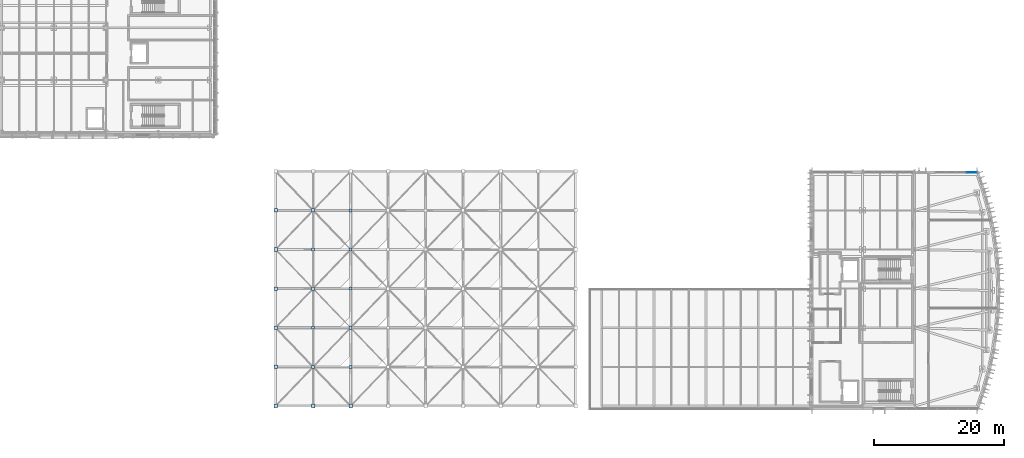
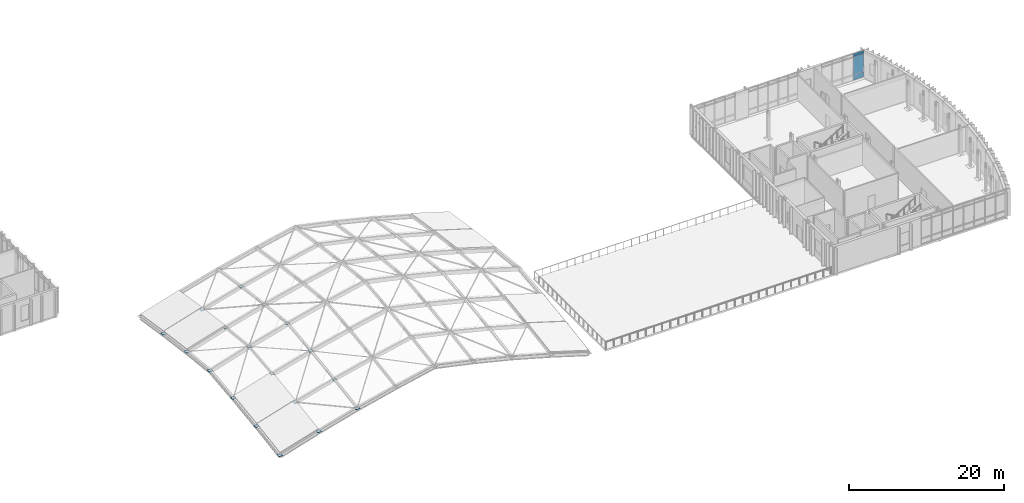
# One storey, part 37 of 62: 21 plates, 1 element without a shape of its own.
"""IFC4 building model written with IfcOpenShell, lengths in metres."""

import ifcopenshell
import ifcopenshell.guid

model = None  # the IFC model being written
_history = None  # IfcOwnerHistory: only IFC2X3 demands one
_inside = {}  # id of a spatial element -> (the spatial element, [elements in it])
_under = {}  # id of a project, library or spatial element -> (it, [spatial elements below it])
_declared = {}  # id of a project -> (the project, [libraries it declares])
_typed = {}  # id of a type object -> (the type object, [elements of that type])
_made_of = {}  # id of a material, layer set ... -> (it, [elements and type objects made of it])


def new_model(schema):
    """Start an empty IFC model of exactly this schema.

    Asked for "IFC4X3", IfcOpenShell would pick the latest addendum, in which some entities
    have other attributes; the version numbers below select the first issue.
    IFC2X3 requires an IfcOwnerHistory on every rooted entity: one is made here for all.
    """
    global model, _history
    if schema == "IFC4X3":
        model = ifcopenshell.file(schema_version=(4, 3, 0, 0))
    else:
        model = ifcopenshell.file(schema=schema)
    _inside.clear()
    _under.clear()
    _declared.clear()
    _typed.clear()
    _made_of.clear()
    _history = None
    if model.schema == "IFC2X3":
        org = make("IfcOrganization", Name="unknown")
        user = make(
            "IfcPersonAndOrganization",
            ThePerson=make("IfcPerson", FamilyName="unknown"),
            TheOrganization=org,
        )
        app = make(
            "IfcApplication",
            ApplicationDeveloper=org,
            Version="unknown",
            ApplicationFullName="unknown",
            ApplicationIdentifier="unknown",
        )
        _history = make(
            "IfcOwnerHistory",
            OwningUser=user,
            OwningApplication=app,
            ChangeAction="ADDED",
            CreationDate=0,
        )
    return model


def make(cls, **values):
    """One entity of the class cls with the attributes given. An attribute that is None is left unset."""
    return model.create_entity(
        cls, **{name: value for name, value in values.items() if value is not None}
    )


def rooted(cls, **values):
    """An entity with a GlobalId (a new one), such as an element, a storey or a relation."""
    return make(cls, GlobalId=ifcopenshell.guid.new(), OwnerHistory=_history, **values)


def si_unit(unit_type, name, prefix=None):
    """IfcSIUnit, for example si_unit("LENGTHUNIT", "METRE", prefix="MILLI")."""
    return make("IfcSIUnit", UnitType=unit_type, Prefix=prefix, Name=name)


def assignment(units):
    """IfcUnitAssignment: the units of a project."""
    return None if units is None else make("IfcUnitAssignment", Units=units)


def point(xyz):
    """IfcCartesianPoint."""
    return None if xyz is None else make("IfcCartesianPoint", Coordinates=xyz)


def direction(xyz):
    """IfcDirection."""
    return None if xyz is None else make("IfcDirection", DirectionRatios=xyz)


def frame(location, z_axis=None, x_axis=None):
    """IfcAxis2Placement3D, a coordinate frame: its origin and axes. An axis left out is left unset."""
    return make(
        "IfcAxis2Placement3D",
        Location=point(location),
        Axis=direction(z_axis),
        RefDirection=direction(x_axis),
    )


def frame_2d(location, x_axis=None):
    """IfcAxis2Placement2D, a coordinate frame in the plane: its origin and x axis."""
    return make(
        "IfcAxis2Placement2D", Location=point(location), RefDirection=direction(x_axis)
    )


def origin():
    """The frame at (0, 0, 0) with its axes left unset."""
    return frame((0.0, 0.0, 0.0))


def origin_2d():
    """The frame at (0, 0) in the plane with its x axis left unset."""
    return frame_2d((0.0, 0.0))


def place(relative_to, where):
    """IfcLocalPlacement: puts the frame where relative to a parent placement (None: the world)."""
    return make(
        "IfcLocalPlacement", PlacementRelTo=relative_to, RelativePlacement=where
    )


def context(
    kind, dimensions, precision=None, world=None, true_north=None, identifier=None
):
    """IfcGeometricRepresentationContext, for example the 3D "Model" context."""
    return make(
        "IfcGeometricRepresentationContext",
        ContextIdentifier=identifier,
        ContextType=kind,
        CoordinateSpaceDimension=dimensions,
        Precision=precision,
        WorldCoordinateSystem=world,
        TrueNorth=true_north,
    )


def subcontext(parent, identifier, kind, view, scale=None):
    """IfcGeometricRepresentationSubContext, for example "Body" below "Model"."""
    return make(
        "IfcGeometricRepresentationSubContext",
        ContextIdentifier=identifier,
        ContextType=kind,
        ParentContext=parent,
        TargetScale=scale,
        TargetView=view,
    )


def project(units=None, contexts=None):
    """IfcProject with its units and contexts."""
    return rooted(
        "IfcProject",
        Name="project",
        RepresentationContexts=contexts,
        UnitsInContext=assignment(units),
    )


def spatial(cls, under=None, at=None, **own):
    """A site, building, storey or space (cls), placed at a placement, below another one or the project."""
    s = rooted(cls, ObjectPlacement=at, **own)
    if under is not None:
        _under.setdefault(under.id(), (under, []))[1].append(s)
    return s


def profile(cls, at=None, kind="AREA", **sizes):
    """A parametric profile (cls). Its sizes go by their IFC names, for example OverallWidth=200.0."""
    return make(cls, ProfileType=kind, Position=at, **sizes)


def rectangle(**sizes):
    """IfcRectangleProfileDef."""
    return profile("IfcRectangleProfileDef", **sizes)


def extrude(swept, where, along, depth):
    """IfcExtrudedAreaSolid: the profile swept, set in the frame where, extruded along a direction by depth."""
    return make(
        "IfcExtrudedAreaSolid",
        SweptArea=swept,
        Position=where,
        ExtrudedDirection=direction(along),
        Depth=depth,
    )


def shape(context_of_items, identifier, shape_type, items):
    """IfcShapeRepresentation: the items that make up one representation, for example the "Body"."""
    return make(
        "IfcShapeRepresentation",
        ContextOfItems=context_of_items,
        RepresentationIdentifier=identifier,
        RepresentationType=shape_type,
        Items=items,
    )


def material(Name=None, Category=None):
    """IfcMaterial."""
    return make("IfcMaterial", Name=Name, Category=Category)


def layer(
    of_material, thickness, ventilated=None, Name=None, Category=None, Priority=None
):
    """IfcMaterialLayer: one layer of a wall or slab, of a material (None: an air gap)."""
    return make(
        "IfcMaterialLayer",
        Material=of_material,
        LayerThickness=thickness,
        IsVentilated=ventilated,
        Name=Name,
        Category=Category,
        Priority=Priority,
    )


def layer_set(layers, Name=None):
    """IfcMaterialLayerSet."""
    return make("IfcMaterialLayerSet", MaterialLayers=layers, LayerSetName=Name)


def made_of(thing, what):
    """Note that an element or type object is made of a material, layer set ...; save() writes the relation."""
    if what is not None:
        _made_of.setdefault(what.id(), (what, []))[1].append(thing)
    return thing


def type_object(cls, material=None, **own):
    """A type object (cls), such as IfcWallType, which elements share."""
    return made_of(rooted(cls, **own), material)


def element(
    cls,
    number,
    at=None,
    inside=None,
    cuts=None,
    type_object=None,
    material=None,
    context=None,
    identifier="Body",
    shape_type=None,
    held_by="IfcProductDefinitionShape",
    body=None,
    shapes=None,
    **own,
):
    """One element of the class cls, such as IfcWall. Its Tag is "e" and its number.

    at: its placement. inside: the storey or other place that contains it. cuts: it is an
    opening in that element (IfcRelVoidsElement). A single representation is given by context,
    identifier, shape_type and body (its items); several are given by shapes. held_by: the class
    of the entity that holds the representations. save() writes the other relations.
    """
    e = rooted(cls, Tag="e%d" % number, ObjectPlacement=at, **own)
    if body is not None:
        shapes = [shape(context, identifier, shape_type, body)]
    if shapes is not None:
        e.Representation = make(held_by, Representations=shapes)
    if inside is not None:
        _inside.setdefault(inside.id(), (inside, []))[1].append(e)
    if cuts is not None:
        rooted(
            "IfcRelVoidsElement", RelatingBuildingElement=cuts, RelatedOpeningElement=e
        )
    if type_object is not None:
        _typed.setdefault(type_object.id(), (type_object, []))[1].append(e)
    return made_of(e, material)


def aggregate(whole, parts):
    """IfcRelAggregates: a whole, such as a stair, and the parts it consists of."""
    return rooted("IfcRelAggregates", RelatingObject=whole, RelatedObjects=parts)


def save(model, path):
    """Write the relations noted so far, then the file.

    IfcRelAggregates (storeys below a building ...), IfcRelContainedInSpatialStructure (elements
    in a storey), IfcRelDefinesByType, IfcRelAssociatesMaterial and IfcRelDeclares: one each for
    every whole, place, type object, material and project.
    """
    for whole, parts in _under.values():
        aggregate(whole, parts)
    for where, things in _inside.values():
        rooted(
            "IfcRelContainedInSpatialStructure",
            RelatedElements=things,
            RelatingStructure=where,
        )
    for kind, things in _typed.values():
        rooted("IfcRelDefinesByType", RelatedObjects=things, RelatingType=kind)
    for what, things in _made_of.values():
        rooted("IfcRelAssociatesMaterial", RelatedObjects=things, RelatingMaterial=what)
    for by, libraries in _declared.values():
        rooted("IfcRelDeclares", RelatingContext=by, RelatedDefinitions=libraries)
    model.write(path)


model = new_model("IFC4")

# Units and contexts
model_context = context("Model", 3, precision=1e-05, world=origin(), true_north=direction((0.0, 1.0)))
body_context = subcontext(model_context, "Body", "Model", "MODEL_VIEW")
ifc_project = project(units=[si_unit("LENGTHUNIT", "METRE"), si_unit("AREAUNIT", "SQUARE_METRE"), si_unit("VOLUMEUNIT", "CUBIC_METRE"), si_unit("PLANEANGLEUNIT", "RADIAN"), si_unit("MASSUNIT", "GRAM", prefix="KILO")], contexts=[model_context])

# Site, building, storey
site_placement = place(None, origin())
site = spatial("IfcSite", under=ifc_project, at=site_placement, CompositionType="ELEMENT")
building_placement = place(site_placement, origin())
building = spatial("IfcBuilding", under=site, at=building_placement, Name="Cymarion Research Institute", CompositionType="ELEMENT")
storey_placement = place(building_placement, frame((0.0, 0.0, 18.300048828125)))
storey = spatial("IfcBuildingStorey", under=building, at=storey_placement, Name="L04", CompositionType="ELEMENT", Elevation=18.300048828125)

# Curtain wall, plates
ifc_material_1 = material(Name="Anodised aluminium unitised curtain wall with Low-E glazing", Category="aluminium")
curtain_wall_type = type_object("IfcCurtainWallType", Name="UNITISED CURTAIN WALL CW36 6390X4280", PredefinedType="NOTDEFINED", material=ifc_material_1)
curtain_wall_placement = place(storey_placement, origin())
curtain_wall = element("IfcCurtainWall", 1, at=curtain_wall_placement, inside=storey, type_object=curtain_wall_type, Name="L04 V1 unitised curtain wall CW36 #173", PredefinedType="NOTDEFINED")
ifc_material_2 = material(Name="Insulated anodised aluminium spandrel panel", Category="aluminium")
ifc_layer_1 = layer(ifc_material_2, 0.06005859375)
ifc_layer_set_1 = layer_set([ifc_layer_1], Name="Insulated anodised aluminium spandrel panel")
plate_type_1 = type_object("IfcPlateType", Name="INSULATED ALUMINIUM SPANDREL PANEL SP01 60MM", PredefinedType="SHEET", material=ifc_layer_set_1)
plate_1_placement = place(storey_placement, frame((163.3330078125, 41.31005859375, 0.059814453125), z_axis=(0.0, 0.0, 1.0), x_axis=(-1.0, 0.0, 0.0)))
plate_1 = element("IfcPlate", 2, at=plate_1_placement, type_object=plate_type_1, Name="CW36 panel 1.1", PredefinedType="SHEET", context=body_context, shape_type="SweptSolid", body=[
    extrude(rectangle(XDim=1.506591796875, YDim=0.06005859375, at=origin_2d()), origin(), (0.0, 0.0, 1.0), 0.81005859375),
])
plate_2_placement = place(storey_placement, frame((163.3330078125, 41.31005859375, 3.760009765625), z_axis=(0.0, 0.0, 1.0), x_axis=(-1.0, 0.0, 0.0)))
plate_2 = element("IfcPlate", 3, at=plate_2_placement, type_object=plate_type_1, Name="CW36 panel 1.3", PredefinedType="SHEET", context=body_context, shape_type="SweptSolid", body=[
    extrude(rectangle(XDim=1.506591796875, YDim=0.06005859375, at=origin_2d()), origin(), (0.0, 0.0, 1.0), 0.4599609375),
])
ifc_material_3 = material(Name="Low-E double solar-control glazing", Category="glass")
ifc_layer_2 = layer(ifc_material_3, 0.035888671875)
ifc_layer_set_2 = layer_set([ifc_layer_2], Name="Low-E double solar-control glazing")
plate_type_2 = type_object("IfcPlateType", Name="SOLAR CONTROL GLAZED VISION PANEL GP01 36MM", PredefinedType="CURTAIN_PANEL", material=ifc_layer_set_2)
plate_3_placement = place(storey_placement, frame((163.3330078125, 41.31005859375, 0.929931640625), z_axis=(0.0, 0.0, 1.0), x_axis=(-1.0, 0.0, 0.0)))
plate_3 = element("IfcPlate", 4, at=plate_3_placement, type_object=plate_type_2, Name="CW36 panel 1.2", PredefinedType="CURTAIN_PANEL", context=body_context, shape_type="SweptSolid", body=[
    extrude(rectangle(XDim=1.506591796875, YDim=0.035888671875, at=origin_2d()), origin(), (0.0, 0.0, 1.0), 2.77001953125),
])
aggregate(curtain_wall, [plate_1, plate_3, plate_2])

# Plates
ifc_material_4 = material(Name="Steel S355", Category="steel")
ifc_layer_3 = layer(ifc_material_4, 0.02392578125)
ifc_layer_set_3 = layer_set([ifc_layer_3], Name="Steel S355")
plate_type_3 = type_object("IfcPlateType", Name="STEEL NODE GUSSET PLATE NP01 24MM", PredefinedType="USERDEFINED", material=ifc_layer_set_3)
for number, where, z_axis, x_axis, name in (
    (5, (62.35009765625, 17.5, 3.385986328125), (0.0, 0.0, 1.0), (1.0, 0.0, 0.0), "Gridshell bolted steel node gusset plate NP01 N2-3"),
    (6, (62.35009765625, 29.5, 3.385986328125), (0.0, 0.0, 1.0), (1.0, 0.0, 0.0), "Gridshell bolted steel node gusset plate NP01 N2-5"),
    (7, (68.10009765625, 11.5, 4.176025390625), (0.0, 0.0, 1.0), (1.0, 0.0, 0.0), "Gridshell bolted steel node gusset plate NP01 N3-2"),
    (8, (68.10009765625, 23.5, 5.64599609375), (0.0, 0.0, 1.0), (1.0, 0.0, 0.0), "Gridshell bolted steel node gusset plate NP01 N3-4"),
    (9, (68.10009765625, 35.5, 4.176025390625), (0.0, 0.0, 1.0), (1.0, 0.0, 0.0), "Gridshell bolted steel node gusset plate NP01 N3-6"),
):
    element("IfcPlate", number, at=place(storey_placement, frame(where, z_axis=z_axis, x_axis=x_axis)), inside=storey, type_object=plate_type_3, Name=name, ObjectType="GUSSET PLATE", PredefinedType="USERDEFINED", context=body_context, shape_type="SweptSolid", body=[
        extrude(rectangle(XDim=0.43994140625, YDim=0.43994140625, at=origin_2d()), origin(), (0.0, 0.0, 1.0), 0.02392578125),
    ])
ifc_layer_4 = layer(ifc_material_4, 0.030029296875)
ifc_layer_set_4 = layer_set([ifc_layer_4], Name="Steel S355")
plate_type_4 = type_object("IfcPlateType", Name="STEEL NODE GUSSET PLATE NP02 30MM", PredefinedType="USERDEFINED", material=ifc_layer_set_4)
for number, where, z_axis, x_axis, name in (
    (10, (62.35009765625, 11.5, 2.57275390625), (0.0, 0.0, 1.0), (1.0, 0.0, 0.0), "Gridshell bolted steel node gusset plate NP02 N2-2"),
    (11, (62.35009765625, 23.5, 4.04296875), (0.0, 0.0, 1.0), (1.0, 0.0, 0.0), "Gridshell bolted steel node gusset plate NP02 N2-4"),
    (12, (62.35009765625, 35.5, 2.57275390625), (0.0, 0.0, 1.0), (1.0, 0.0, 0.0), "Gridshell bolted steel node gusset plate NP02 N2-6"),
    (13, (68.10009765625, 17.5, 4.98291015625), (0.0, 0.0, 1.0), (1.0, 0.0, 0.0), "Gridshell bolted steel node gusset plate NP02 N3-3"),
    (14, (68.10009765625, 29.5, 4.98291015625), (0.0, 0.0, 1.0), (1.0, 0.0, 0.0), "Gridshell bolted steel node gusset plate NP02 N3-5"),
):
    element("IfcPlate", number, at=place(storey_placement, frame(where, z_axis=z_axis, x_axis=x_axis)), inside=storey, type_object=plate_type_4, Name=name, ObjectType="GUSSET PLATE", PredefinedType="USERDEFINED", context=body_context, shape_type="SweptSolid", body=[
        extrude(rectangle(XDim=0.5, YDim=0.5, at=origin_2d()), origin(), (0.0, 0.0, 1.0), 0.030029296875),
    ])
ifc_layer_5 = layer(ifc_material_4, 0.035888671875)
ifc_layer_set_5 = layer_set([ifc_layer_5], Name="Steel S355")
plate_type_5 = type_object("IfcPlateType", Name="STEEL NODE GUSSET PLATE NP03 36MM", PredefinedType="USERDEFINED", material=ifc_layer_set_5)
for number, where, z_axis, x_axis, name in (
    (15, (56.60009765625, 5.5, -0.1201171875), (0.0, 0.0, 1.0), (1.0, 0.0, 0.0), "Gridshell bolted steel node gusset plate NP03 N1-1"),
    (16, (56.60009765625, 11.5, 0.81005859375), (0.0, 0.0, 1.0), (1.0, 0.0, 0.0), "Gridshell bolted steel node gusset plate NP03 N1-2"),
    (17, (56.60009765625, 17.5, 1.6201171875), (0.0, 0.0, 1.0), (1.0, 0.0, 0.0), "Gridshell bolted steel node gusset plate NP03 N1-3"),
    (18, (56.60009765625, 23.5, 2.27978515625), (0.0, 0.0, 1.0), (1.0, 0.0, 0.0), "Gridshell bolted steel node gusset plate NP03 N1-4"),
    (19, (56.60009765625, 29.5, 1.6201171875), (0.0, 0.0, 1.0), (1.0, 0.0, 0.0), "Gridshell bolted steel node gusset plate NP03 N1-5"),
    (20, (56.60009765625, 35.5, 0.81005859375), (0.0, 0.0, 1.0), (1.0, 0.0, 0.0), "Gridshell bolted steel node gusset plate NP03 N1-6"),
    (21, (62.35009765625, 5.5, 1.64013671875), (0.0, 0.0, 1.0), (1.0, 0.0, 0.0), "Gridshell bolted steel node gusset plate NP03 N2-1"),
    (22, (68.10009765625, 5.5, 3.240234375), (0.0, 0.0, 1.0), (1.0, 0.0, 0.0), "Gridshell bolted steel node gusset plate NP03 N3-1"),
):
    element("IfcPlate", number, at=place(storey_placement, frame(where, z_axis=z_axis, x_axis=x_axis)), inside=storey, type_object=plate_type_5, Name=name, ObjectType="GUSSET PLATE", PredefinedType="USERDEFINED", context=body_context, shape_type="SweptSolid", body=[
        extrude(rectangle(XDim=0.56005859375, YDim=0.56005859375, at=origin_2d()), origin(), (0.0, 0.0, 1.0), 0.035888671875),
    ])

save(model, "model.ifc")
